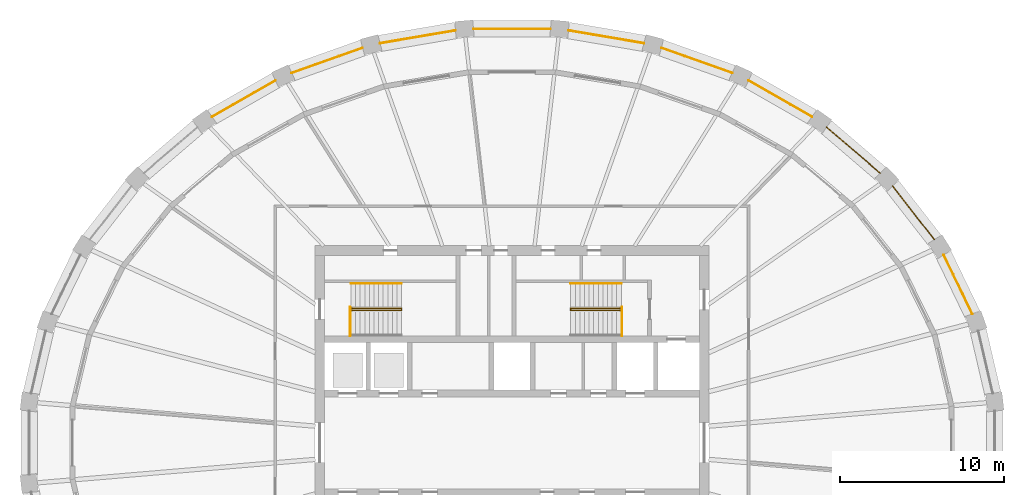
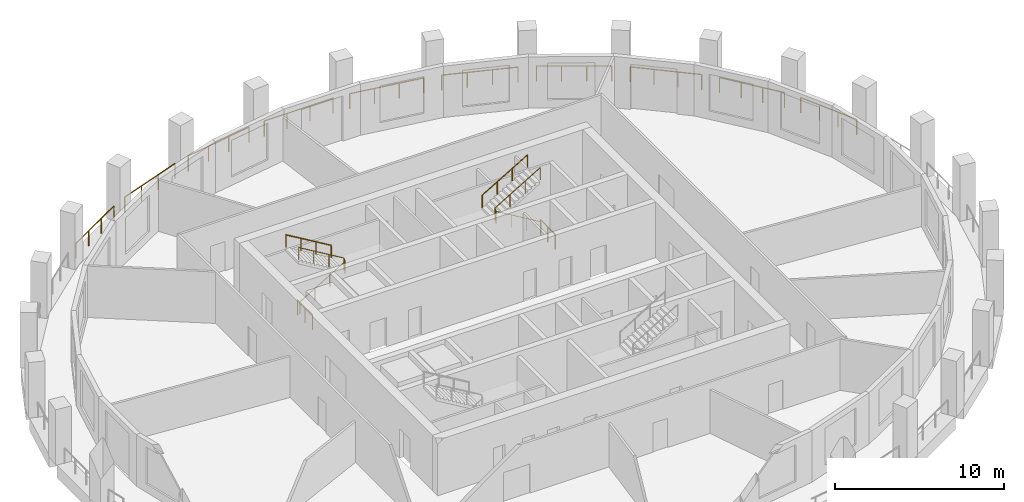
# One storey, part 9 of 10: 16 railings.
"""IFC4 building model written with IfcOpenShell, lengths in metres."""

from ifc_helpers import new_model, si_unit, direction, frame, origin, origin_2d, place, context, subcontext, project, spatial, circle, extrude, material, type_object, element, save


model = new_model("IFC4")

# Units and contexts
model_context = context("Model", 3, precision=1e-05, world=origin(), true_north=direction((0.0, 1.0)))
body_context = subcontext(model_context, "Body", "Model", "MODEL_VIEW")
ifc_project = project(units=[si_unit("LENGTHUNIT", "METRE"), si_unit("AREAUNIT", "SQUARE_METRE"), si_unit("VOLUMEUNIT", "CUBIC_METRE"), si_unit("PLANEANGLEUNIT", "RADIAN"), si_unit("MASSUNIT", "GRAM", prefix="KILO")], contexts=[model_context])

# Site, building, storey
site_placement = place(None, origin())
site = spatial("IfcSite", under=ifc_project, at=site_placement, CompositionType="ELEMENT")
building_placement = place(site_placement, origin())
building = spatial("IfcBuilding", under=site, at=building_placement, Name="Halqa Exchange Tower", CompositionType="ELEMENT")
storey_placement = place(building_placement, frame((0.0, 0.0, 284.300048828125)))
storey = spatial("IfcBuildingStorey", under=building, at=storey_placement, Name="L66", CompositionType="ELEMENT", Elevation=284.300048828125)

# Railings
ifc_material = material(Name="Stainless steel", Category="steel")
railing_type_1 = type_object("IfcRailingType", Name="Guard 1100 stainless steel", PredefinedType="GUARDRAIL", material=ifc_material)
railing_1_placement = place(storey_placement, frame((28.015625, 7.841796875, 0.0)))
element("IfcRailing", 1, at=railing_1_placement, inside=storey, type_object=railing_type_1, Name="Loggia guard 2", PredefinedType="GUARDRAIL", context=body_context, shape_type="SweptSolid", body=[
    extrude(circle(Radius=0.02392578125, at=origin_2d()), frame((0.0, 0.0, 1.076171875), z_axis=(-0.43508435382, 0.900389696221, 0.0), x_axis=(-0.900389696221, -0.43508435382, 0.0)), (0.0, 0.0, 1.0), 3.99072265625),
    extrude(circle(Radius=0.02099609375, at=origin_2d()), origin(), (0.0, 0.0, 1.0), 1.052001953125),
    extrude(circle(Radius=0.02099609375, at=origin_2d()), frame((-0.578857421875, 1.19775390625, 0.0)), (0.0, 0.0, 1.0), 1.052001953125),
    extrude(circle(Radius=0.02099609375, at=origin_2d()), frame((-1.157470703125, 2.3955078125, 0.0)), (0.0, 0.0, 1.0), 1.052001953125),
    extrude(circle(Radius=0.02099609375, at=origin_2d()), frame((-1.736328125, 3.59326171875, 0.0)), (0.0, 0.0, 1.0), 1.052001953125),
])
railing_2_placement = place(storey_placement, frame((25.70166015625, 12.364013671875, 0.0)))
element("IfcRailing", 2, at=railing_2_placement, inside=storey, type_object=railing_type_1, Name="Loggia guard 3", PredefinedType="GUARDRAIL", context=body_context, shape_type="SweptSolid", body=[
    extrude(circle(Radius=0.02392578125, at=origin_2d()), frame((0.0, 0.0, 1.076171875), z_axis=(-0.614791424405, 0.788689739047, 0.0), x_axis=(-0.788689739047, -0.614791424405, 0.0)), (0.0, 0.0, 1.0), 4.13037109375),
    extrude(circle(Radius=0.02099609375, at=origin_2d()), origin(), (0.0, 0.0, 1.0), 1.052001953125),
    extrude(circle(Radius=0.02099609375, at=origin_2d()), frame((-0.846435546875, 1.0859375, 0.0)), (0.0, 0.0, 1.0), 1.052001953125),
    extrude(circle(Radius=0.02099609375, at=origin_2d()), frame((-1.69287109375, 2.171630859375, 0.0)), (0.0, 0.0, 1.0), 1.052001953125),
    extrude(circle(Radius=0.02099609375, at=origin_2d()), frame((-2.539306640625, 3.257568359375, 0.0)), (0.0, 0.0, 1.0), 1.052001953125),
])
railing_3_placement = place(storey_placement, frame((22.406494140625, 16.413330078125, 0.0)))
element("IfcRailing", 3, at=railing_3_placement, inside=storey, type_object=railing_type_1, Name="Loggia guard 4", PredefinedType="GUARDRAIL", context=body_context, shape_type="SweptSolid", body=[
    extrude(circle(Radius=0.02392578125, at=origin_2d()), frame((0.0, 0.0, 1.076171875), z_axis=(-0.759224469346, 0.650828860105, 0.0), x_axis=(-0.650828860105, -0.759224469346, 0.0)), (0.0, 0.0, 1.0), 4.290771484375),
    extrude(circle(Radius=0.02099609375, at=origin_2d()), origin(), (0.0, 0.0, 1.0), 1.052001953125),
    extrude(circle(Radius=0.02099609375, at=origin_2d()), frame((-1.0859375, 0.930908203125, 0.0)), (0.0, 0.0, 1.0), 1.052001953125),
    extrude(circle(Radius=0.02099609375, at=origin_2d()), frame((-2.171630859375, 1.861572265625, 0.0)), (0.0, 0.0, 1.0), 1.052001953125),
    extrude(circle(Radius=0.02099609375, at=origin_2d()), frame((-3.257568359375, 2.79248046875, 0.0)), (0.0, 0.0, 1.0), 1.052001953125),
])
railing_4_placement = place(storey_placement, frame((18.25390625, 19.8369140625, 0.0)))
element("IfcRailing", 4, at=railing_4_placement, inside=storey, type_object=railing_type_1, Name="Loggia guard 5", PredefinedType="GUARDRAIL", context=body_context, shape_type="SweptSolid", body=[
    extrude(circle(Radius=0.02392578125, at=origin_2d()), frame((0.0, 0.0, 1.076171875), z_axis=(-0.867739182738, 0.497019829323, 0.0), x_axis=(-0.497019829323, -0.867739182738, 0.0)), (0.0, 0.0, 1.0), 4.446044921875),
    extrude(circle(Radius=0.02099609375, at=origin_2d()), origin(), (0.0, 0.0, 1.0), 1.052001953125),
    extrude(circle(Radius=0.02099609375, at=origin_2d()), frame((-1.285888671875, 0.736572265625, 0.0)), (0.0, 0.0, 1.0), 1.052001953125),
    extrude(circle(Radius=0.02099609375, at=origin_2d()), frame((-2.572021484375, 1.47314453125, 0.0)), (0.0, 0.0, 1.0), 1.052001953125),
    extrude(circle(Radius=0.02099609375, at=origin_2d()), frame((-3.85791015625, 2.209716796875, 0.0)), (0.0, 0.0, 1.0), 1.052001953125),
])
railing_5_placement = place(storey_placement, frame((13.400390625, 22.50390625, 0.0)))
element("IfcRailing", 5, at=railing_5_placement, inside=storey, type_object=railing_type_1, Name="Loggia guard 6", PredefinedType="GUARDRAIL", context=body_context, shape_type="SweptSolid", body=[
    extrude(circle(Radius=0.02392578125, at=origin_2d()), frame((0.0, 0.0, 1.076171875), z_axis=(-0.942372934401, 0.334564272611, 0.0), x_axis=(-0.334564272611, -0.942372934401, 0.0)), (0.0, 0.0, 1.0), 4.57470703125),
    extrude(circle(Radius=0.02099609375, at=origin_2d()), origin(), (0.0, 0.0, 1.0), 1.052001953125),
    extrude(circle(Radius=0.02099609375, at=origin_2d()), frame((-1.43701171875, 0.51025390625, 0.0)), (0.0, 0.0, 1.0), 1.052001953125),
    extrude(circle(Radius=0.02099609375, at=origin_2d()), frame((-2.8740234375, 1.020263671875, 0.0)), (0.0, 0.0, 1.0), 1.052001953125),
    extrude(circle(Radius=0.02099609375, at=origin_2d()), frame((-4.31103515625, 1.530517578125, 0.0)), (0.0, 0.0, 1.0), 1.052001953125),
])
railing_6_placement = place(storey_placement, frame((8.02880859375, 24.310791015625, 0.0)))
element("IfcRailing", 6, at=railing_6_placement, inside=storey, type_object=railing_type_1, Name="Loggia guard 7", PredefinedType="GUARDRAIL", context=body_context, shape_type="SweptSolid", body=[
    extrude(circle(Radius=0.02392578125, at=origin_2d()), frame((0.0, 0.0, 1.076171875), z_axis=(-0.985768001881, 0.168111410878, 0.0), x_axis=(-0.168111410878, -0.985768001881, 0.0)), (0.0, 0.0, 1.0), 4.658935546875),
    extrude(circle(Radius=0.02099609375, at=origin_2d()), origin(), (0.0, 0.0, 1.0), 1.052001953125),
    extrude(circle(Radius=0.02099609375, at=origin_2d()), frame((-1.53076171875, 0.260986328125, 0.0)), (0.0, 0.0, 1.0), 1.052001953125),
    extrude(circle(Radius=0.02099609375, at=origin_2d()), frame((-3.061767578125, 0.522216796875, 0.0)), (0.0, 0.0, 1.0), 1.052001953125),
    extrude(circle(Radius=0.02099609375, at=origin_2d()), frame((-4.592529296875, 0.783203125, 0.0)), (0.0, 0.0, 1.0), 1.052001953125),
])
railing_7_placement = place(storey_placement, frame((2.343994140625, 25.186279296875, 0.0)))
element("IfcRailing", 7, at=railing_7_placement, inside=storey, type_object=railing_type_1, Name="Loggia guard 8", PredefinedType="GUARDRAIL", context=body_context, shape_type="SweptSolid", body=[
    extrude(circle(Radius=0.02392578125, at=origin_2d()), frame((0.0, 0.0, 1.076171875), z_axis=(-1.0, 0.0, 0.0), x_axis=(0.0, -1.0, 0.0)), (0.0, 0.0, 1.0), 4.68798828125),
    extrude(circle(Radius=0.02099609375, at=origin_2d()), origin(), (0.0, 0.0, 1.0), 1.052001953125),
    extrude(circle(Radius=0.02099609375, at=origin_2d()), frame((-1.562744140625, 0.0, 0.0)), (0.0, 0.0, 1.0), 1.052001953125),
    extrude(circle(Radius=0.02099609375, at=origin_2d()), frame((-3.125244140625, 0.0, 0.0)), (0.0, 0.0, 1.0), 1.052001953125),
    extrude(circle(Radius=0.02099609375, at=origin_2d()), frame((-4.68798828125, 0.0, 0.0)), (0.0, 0.0, 1.0), 1.052001953125),
])
railing_8_placement = place(storey_placement, frame((-3.436279296875, 25.093994140625, 0.0)))
element("IfcRailing", 8, at=railing_8_placement, inside=storey, type_object=railing_type_1, Name="Loggia guard 9", PredefinedType="GUARDRAIL", context=body_context, shape_type="SweptSolid", body=[
    extrude(circle(Radius=0.02392578125, at=origin_2d()), frame((0.0, 0.0, 1.076171875), z_axis=(-0.985768001881, -0.168111410878, 0.0), x_axis=(0.168111410878, -0.985768001881, 0.0)), (0.0, 0.0, 1.0), 4.658935546875),
    extrude(circle(Radius=0.02099609375, at=origin_2d()), origin(), (0.0, 0.0, 1.0), 1.052001953125),
    extrude(circle(Radius=0.02099609375, at=origin_2d()), frame((-1.53076171875, -0.260986328125, 0.0)), (0.0, 0.0, 1.0), 1.052001953125),
    extrude(circle(Radius=0.02099609375, at=origin_2d()), frame((-3.061767578125, -0.522216796875, 0.0)), (0.0, 0.0, 1.0), 1.052001953125),
    extrude(circle(Radius=0.02099609375, at=origin_2d()), frame((-4.592529296875, -0.783203125, 0.0)), (0.0, 0.0, 1.0), 1.052001953125),
])
railing_9_placement = place(storey_placement, frame((-9.08935546875, 24.034423828125, 0.0)))
element("IfcRailing", 9, at=railing_9_placement, inside=storey, type_object=railing_type_1, Name="Loggia guard 10", PredefinedType="GUARDRAIL", context=body_context, shape_type="SweptSolid", body=[
    extrude(circle(Radius=0.02392578125, at=origin_2d()), frame((0.0, 0.0, 1.076171875), z_axis=(-0.942372934401, -0.334564272611, 0.0), x_axis=(0.334564272611, -0.942372934401, 0.0)), (0.0, 0.0, 1.0), 4.57470703125),
    extrude(circle(Radius=0.02099609375, at=origin_2d()), origin(), (0.0, 0.0, 1.0), 1.052001953125),
    extrude(circle(Radius=0.02099609375, at=origin_2d()), frame((-1.43701171875, -0.51025390625, 0.0)), (0.0, 0.0, 1.0), 1.052001953125),
    extrude(circle(Radius=0.02099609375, at=origin_2d()), frame((-2.8740234375, -1.020263671875, 0.0)), (0.0, 0.0, 1.0), 1.052001953125),
    extrude(circle(Radius=0.02099609375, at=origin_2d()), frame((-4.31103515625, -1.530517578125, 0.0)), (0.0, 0.0, 1.0), 1.052001953125),
])
railing_10_placement = place(storey_placement, frame((-14.39599609375, 22.046630859375, 0.0)))
element("IfcRailing", 10, at=railing_10_placement, inside=storey, type_object=railing_type_1, Name="Loggia guard 11", PredefinedType="GUARDRAIL", context=body_context, shape_type="SweptSolid", body=[
    extrude(circle(Radius=0.02392578125, at=origin_2d()), frame((0.0, 0.0, 1.076171875), z_axis=(-0.867739182738, -0.497019829323, 0.0), x_axis=(0.497019829323, -0.867739182738, 0.0)), (0.0, 0.0, 1.0), 4.446044921875),
    extrude(circle(Radius=0.02099609375, at=origin_2d()), origin(), (0.0, 0.0, 1.0), 1.052001953125),
    extrude(circle(Radius=0.02099609375, at=origin_2d()), frame((-1.285888671875, -0.736572265625, 0.0)), (0.0, 0.0, 1.0), 1.052001953125),
    extrude(circle(Radius=0.02099609375, at=origin_2d()), frame((-2.572021484375, -1.47314453125, 0.0)), (0.0, 0.0, 1.0), 1.052001953125),
    extrude(circle(Radius=0.02099609375, at=origin_2d()), frame((-3.85791015625, -2.209716796875, 0.0)), (0.0, 0.0, 1.0), 1.052001953125),
])
railing_type_2 = type_object("IfcRailingType", Name="Stair handrail 900", PredefinedType="HANDRAIL", material=ifc_material)
railing_11_placement = place(storey_placement, frame((-9.800048828125, 8.06005859375, 0.166748046875)))
element("IfcRailing", 11, at=railing_11_placement, inside=storey, type_object=railing_type_2, Name="Handrail ST1.1", PredefinedType="HANDRAIL", context=body_context, shape_type="SweptSolid", body=[
    extrude(circle(Radius=0.02392578125, at=origin_2d()), frame((0.0, 0.0, 0.8759765625), z_axis=(0.859308565015, 0.0, 0.511457515432), x_axis=(0.0, 1.0, 0.0)), (0.0, 0.0, 1.0), 3.58447265625),
    extrude(circle(Radius=0.02392578125, at=origin_2d()), frame((3.080078125, 0.0, 2.708984375), z_axis=(0.0, 0.614500226555, 0.788916644243), x_axis=(-1.0, 0.0, 0.0)), (0.0, 0.0, 1.0), 0.21142578125),
    extrude(circle(Radius=0.02392578125, at=origin_2d()), frame((3.080078125, 0.1298828125, 2.8759765625), z_axis=(-0.859308565015, 0.0, 0.511457515432), x_axis=(0.0, -1.0, 0.0)), (0.0, 0.0, 1.0), 3.58447265625),
    extrude(circle(Radius=0.02099609375, at=origin_2d()), origin(), (0.0, 0.0, 1.0), 0.851806640625),
    extrude(circle(Radius=0.02099609375, at=origin_2d()), frame((1.026611328125, 0.0, 0.611083984375)), (0.0, 0.0, 1.0), 0.851806640625),
    extrude(circle(Radius=0.02099609375, at=origin_2d()), frame((2.053466796875, 0.0, 1.22216796875)), (0.0, 0.0, 1.0), 0.851806640625),
    extrude(circle(Radius=0.02099609375, at=origin_2d()), frame((3.080078125, 0.0, 1.833251953125)), (0.0, 0.0, 1.0), 0.851806640625),
    extrude(circle(Radius=0.02099609375, at=origin_2d()), frame((3.080078125, 0.1298828125, 2.0)), (0.0, 0.0, 1.0), 0.851806640625),
    extrude(circle(Radius=0.02099609375, at=origin_2d()), frame((2.053466796875, 0.1298828125, 2.611083984375)), (0.0, 0.0, 1.0), 0.851806640625),
    extrude(circle(Radius=0.02099609375, at=origin_2d()), frame((1.026611328125, 0.1298828125, 3.22216796875)), (0.0, 0.0, 1.0), 0.851806640625),
    extrude(circle(Radius=0.02099609375, at=origin_2d()), frame((0.0, 0.1298828125, 3.833251953125)), (0.0, 0.0, 1.0), 0.851806640625),
])
railing_12_placement = place(storey_placement, frame((-6.719970703125, 9.699951171875, 2.166748046875)))
element("IfcRailing", 12, at=railing_12_placement, inside=storey, type_object=railing_type_2, Name="Handrail ST1.3", PredefinedType="HANDRAIL", context=body_context, shape_type="SweptSolid", body=[
    extrude(circle(Radius=0.02392578125, at=origin_2d()), frame((0.0, 0.0, 0.8759765625), z_axis=(-0.859308565015, 0.0, 0.511457515432), x_axis=(0.0, -1.0, 0.0)), (0.0, 0.0, 1.0), 3.58447265625),
    extrude(circle(Radius=0.02099609375, at=origin_2d()), origin(), (0.0, 0.0, 1.0), 0.851806640625),
    extrude(circle(Radius=0.02099609375, at=origin_2d()), frame((-1.026611328125, 0.0, 0.611083984375)), (0.0, 0.0, 1.0), 0.851806640625),
    extrude(circle(Radius=0.02099609375, at=origin_2d()), frame((-2.053466796875, 0.0, 1.22216796875)), (0.0, 0.0, 1.0), 0.851806640625),
    extrude(circle(Radius=0.02099609375, at=origin_2d()), frame((-3.080078125, 0.0, 1.833251953125)), (0.0, 0.0, 1.0), 0.851806640625),
])
railing_13_placement = place(storey_placement, frame((6.64990234375, 8.06005859375, 0.166748046875)))
element("IfcRailing", 13, at=railing_13_placement, inside=storey, type_object=railing_type_2, Name="Handrail ST2.1", PredefinedType="HANDRAIL", context=body_context, shape_type="SweptSolid", body=[
    extrude(circle(Radius=0.02392578125, at=origin_2d()), frame((0.0, 0.0, 0.8759765625), z_axis=(-0.859290745958, 0.0, 0.51148745235), x_axis=(0.0, -1.0, 0.0)), (0.0, 0.0, 1.0), 3.584228515625),
    extrude(circle(Radius=0.02392578125, at=origin_2d()), frame((-3.079833984375, 0.0, 2.708984375), z_axis=(0.0, 0.614500226555, 0.788916644243), x_axis=(-1.0, 0.0, 0.0)), (0.0, 0.0, 1.0), 0.21142578125),
    extrude(circle(Radius=0.02392578125, at=origin_2d()), frame((-3.079833984375, 0.1298828125, 2.8759765625), z_axis=(0.859290745958, 0.0, 0.51148745235), x_axis=(0.0, 1.0, 0.0)), (0.0, 0.0, 1.0), 3.584228515625),
    extrude(circle(Radius=0.02099609375, at=origin_2d()), origin(), (0.0, 0.0, 1.0), 0.851806640625),
    extrude(circle(Radius=0.02099609375, at=origin_2d()), frame((-1.026611328125, 0.0, 0.611083984375)), (0.0, 0.0, 1.0), 0.851806640625),
    extrude(circle(Radius=0.02099609375, at=origin_2d()), frame((-2.05322265625, 0.0, 1.22216796875)), (0.0, 0.0, 1.0), 0.851806640625),
    extrude(circle(Radius=0.02099609375, at=origin_2d()), frame((-3.079833984375, 0.0, 1.833251953125)), (0.0, 0.0, 1.0), 0.851806640625),
    extrude(circle(Radius=0.02099609375, at=origin_2d()), frame((-3.079833984375, 0.1298828125, 2.0)), (0.0, 0.0, 1.0), 0.851806640625),
    extrude(circle(Radius=0.02099609375, at=origin_2d()), frame((-2.05322265625, 0.1298828125, 2.611083984375)), (0.0, 0.0, 1.0), 0.851806640625),
    extrude(circle(Radius=0.02099609375, at=origin_2d()), frame((-1.026611328125, 0.1298828125, 3.22216796875)), (0.0, 0.0, 1.0), 0.851806640625),
    extrude(circle(Radius=0.02099609375, at=origin_2d()), frame((0.0, 0.1298828125, 3.833251953125)), (0.0, 0.0, 1.0), 0.851806640625),
])
railing_14_placement = place(storey_placement, frame((3.570068359375, 9.699951171875, 2.166748046875)))
element("IfcRailing", 14, at=railing_14_placement, inside=storey, type_object=railing_type_2, Name="Handrail ST2.3", PredefinedType="HANDRAIL", context=body_context, shape_type="SweptSolid", body=[
    extrude(circle(Radius=0.02392578125, at=origin_2d()), frame((0.0, 0.0, 0.8759765625), z_axis=(0.859290745958, 0.0, 0.51148745235), x_axis=(0.0, 1.0, 0.0)), (0.0, 0.0, 1.0), 3.584228515625),
    extrude(circle(Radius=0.02099609375, at=origin_2d()), origin(), (0.0, 0.0, 1.0), 0.851806640625),
    extrude(circle(Radius=0.02099609375, at=origin_2d()), frame((1.026611328125, 0.0, 0.611083984375)), (0.0, 0.0, 1.0), 0.851806640625),
    extrude(circle(Radius=0.02099609375, at=origin_2d()), frame((2.05322265625, 0.0, 1.22216796875)), (0.0, 0.0, 1.0), 0.851806640625),
    extrude(circle(Radius=0.02099609375, at=origin_2d()), frame((3.079833984375, 0.0, 1.833251953125)), (0.0, 0.0, 1.0), 0.851806640625),
])
railing_type_3 = type_object("IfcRailingType", Name="Stair well guard 1100", PredefinedType="GUARDRAIL", material=ifc_material)
for number, where, name in (
    (15, (-9.85009765625, 6.5, 0.0), "Guard ST1 well"),
    (16, (6.699951171875, 6.5, 0.0), "Guard ST2 well"),
):
    element("IfcRailing", number, at=place(storey_placement, frame(where)), inside=storey, type_object=railing_type_3, Name=name, PredefinedType="GUARDRAIL", context=body_context, shape_type="SweptSolid", body=[
        extrude(circle(Radius=0.02392578125, at=origin_2d()), frame((0.0, 0.0, 1.076171875), z_axis=(0.0, 1.0, 0.0), x_axis=(-1.0, 0.0, 0.0)), (0.0, 0.0, 1.0), 1.75),
        extrude(circle(Radius=0.02099609375, at=origin_2d()), origin(), (0.0, 0.0, 1.0), 1.052001953125),
        extrude(circle(Radius=0.02099609375, at=origin_2d()), frame((0.0, 0.875, 0.0)), (0.0, 0.0, 1.0), 1.052001953125),
        extrude(circle(Radius=0.02099609375, at=origin_2d()), frame((0.0, 1.75, 0.0)), (0.0, 0.0, 1.0), 1.052001953125),
    ])

save(model, "model.ifc")
